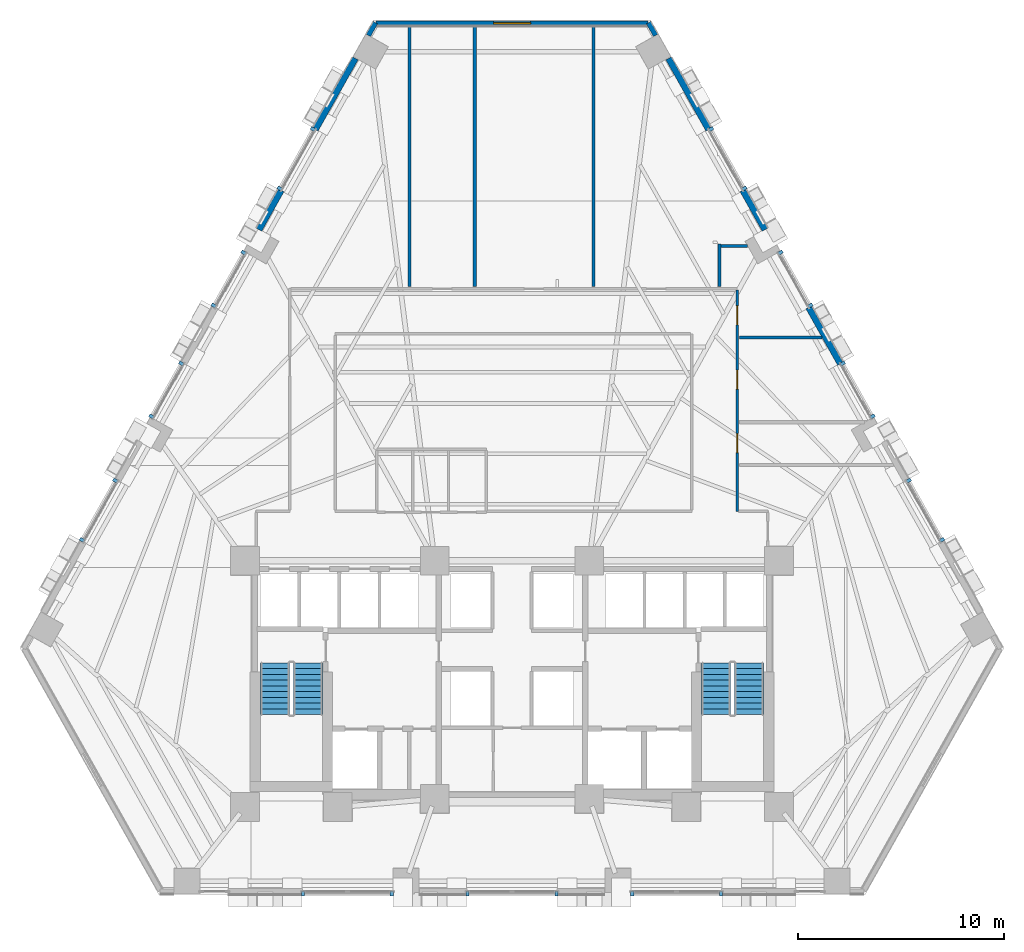
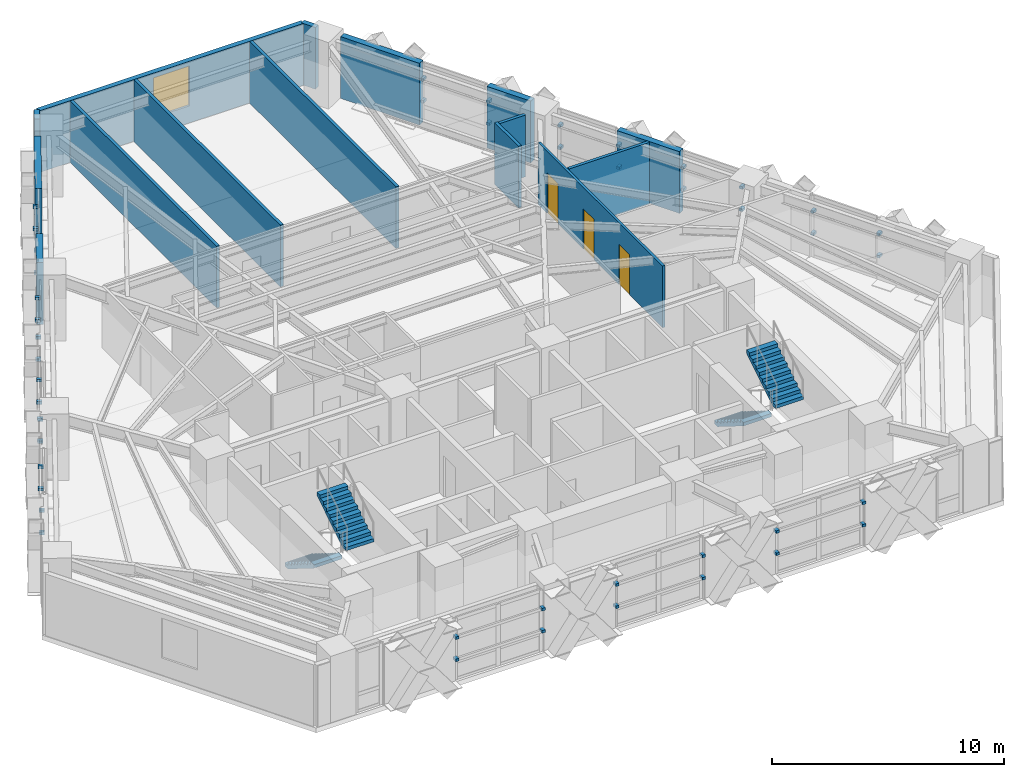
# One storey, part 9 of 13: 44 discrete accessories, 15 walls, 4 stair flights, 3 doors, 1 window, 4 openings, 2 elements without a shape of their own.
"""IFC4 building model written with IfcOpenShell, lengths in metres."""

import ifcopenshell
import ifcopenshell.guid

model = None  # the IFC model being written
_history = None  # IfcOwnerHistory: only IFC2X3 demands one
_inside = {}  # id of a spatial element -> (the spatial element, [elements in it])
_under = {}  # id of a project, library or spatial element -> (it, [spatial elements below it])
_declared = {}  # id of a project -> (the project, [libraries it declares])
_typed = {}  # id of a type object -> (the type object, [elements of that type])
_made_of = {}  # id of a material, layer set ... -> (it, [elements and type objects made of it])


def new_model(schema):
    """Start an empty IFC model of exactly this schema.

    Asked for "IFC4X3", IfcOpenShell would pick the latest addendum, in which some entities
    have other attributes; the version numbers below select the first issue.
    IFC2X3 requires an IfcOwnerHistory on every rooted entity: one is made here for all.
    """
    global model, _history
    if schema == "IFC4X3":
        model = ifcopenshell.file(schema_version=(4, 3, 0, 0))
    else:
        model = ifcopenshell.file(schema=schema)
    _inside.clear()
    _under.clear()
    _declared.clear()
    _typed.clear()
    _made_of.clear()
    _history = None
    if model.schema == "IFC2X3":
        org = make("IfcOrganization", Name="unknown")
        user = make(
            "IfcPersonAndOrganization",
            ThePerson=make("IfcPerson", FamilyName="unknown"),
            TheOrganization=org,
        )
        app = make(
            "IfcApplication",
            ApplicationDeveloper=org,
            Version="unknown",
            ApplicationFullName="unknown",
            ApplicationIdentifier="unknown",
        )
        _history = make(
            "IfcOwnerHistory",
            OwningUser=user,
            OwningApplication=app,
            ChangeAction="ADDED",
            CreationDate=0,
        )
    return model


def make(cls, **values):
    """One entity of the class cls with the attributes given. An attribute that is None is left unset."""
    return model.create_entity(
        cls, **{name: value for name, value in values.items() if value is not None}
    )


def rooted(cls, **values):
    """An entity with a GlobalId (a new one), such as an element, a storey or a relation."""
    return make(cls, GlobalId=ifcopenshell.guid.new(), OwnerHistory=_history, **values)


def si_unit(unit_type, name, prefix=None):
    """IfcSIUnit, for example si_unit("LENGTHUNIT", "METRE", prefix="MILLI")."""
    return make("IfcSIUnit", UnitType=unit_type, Prefix=prefix, Name=name)


def assignment(units):
    """IfcUnitAssignment: the units of a project."""
    return None if units is None else make("IfcUnitAssignment", Units=units)


def point(xyz):
    """IfcCartesianPoint."""
    return None if xyz is None else make("IfcCartesianPoint", Coordinates=xyz)


def direction(xyz):
    """IfcDirection."""
    return None if xyz is None else make("IfcDirection", DirectionRatios=xyz)


def frame(location, z_axis=None, x_axis=None):
    """IfcAxis2Placement3D, a coordinate frame: its origin and axes. An axis left out is left unset."""
    return make(
        "IfcAxis2Placement3D",
        Location=point(location),
        Axis=direction(z_axis),
        RefDirection=direction(x_axis),
    )


def frame_2d(location, x_axis=None):
    """IfcAxis2Placement2D, a coordinate frame in the plane: its origin and x axis."""
    return make(
        "IfcAxis2Placement2D", Location=point(location), RefDirection=direction(x_axis)
    )


def origin():
    """The frame at (0, 0, 0) with its axes left unset."""
    return frame((0.0, 0.0, 0.0))


def origin_2d():
    """The frame at (0, 0) in the plane with its x axis left unset."""
    return frame_2d((0.0, 0.0))


def place(relative_to, where):
    """IfcLocalPlacement: puts the frame where relative to a parent placement (None: the world)."""
    return make(
        "IfcLocalPlacement", PlacementRelTo=relative_to, RelativePlacement=where
    )


def context(
    kind, dimensions, precision=None, world=None, true_north=None, identifier=None
):
    """IfcGeometricRepresentationContext, for example the 3D "Model" context."""
    return make(
        "IfcGeometricRepresentationContext",
        ContextIdentifier=identifier,
        ContextType=kind,
        CoordinateSpaceDimension=dimensions,
        Precision=precision,
        WorldCoordinateSystem=world,
        TrueNorth=true_north,
    )


def subcontext(parent, identifier, kind, view, scale=None):
    """IfcGeometricRepresentationSubContext, for example "Body" below "Model"."""
    return make(
        "IfcGeometricRepresentationSubContext",
        ContextIdentifier=identifier,
        ContextType=kind,
        ParentContext=parent,
        TargetScale=scale,
        TargetView=view,
    )


def project(units=None, contexts=None):
    """IfcProject with its units and contexts."""
    return rooted(
        "IfcProject",
        Name="project",
        RepresentationContexts=contexts,
        UnitsInContext=assignment(units),
    )


def spatial(cls, under=None, at=None, **own):
    """A site, building, storey or space (cls), placed at a placement, below another one or the project."""
    s = rooted(cls, ObjectPlacement=at, **own)
    if under is not None:
        _under.setdefault(under.id(), (under, []))[1].append(s)
    return s


def polyline(points):
    """IfcPolyline through the points."""
    return make("IfcPolyline", Points=[point(p) for p in points])


def profile(cls, at=None, kind="AREA", **sizes):
    """A parametric profile (cls). Its sizes go by their IFC names, for example OverallWidth=200.0."""
    return make(cls, ProfileType=kind, Position=at, **sizes)


def rectangle(**sizes):
    """IfcRectangleProfileDef."""
    return profile("IfcRectangleProfileDef", **sizes)


def outline(outer, holes=None, kind="AREA"):
    """IfcArbitraryClosedProfileDef: a profile drawn as a closed curve; with holes, ...WithVoids."""
    if holes is None:
        return make("IfcArbitraryClosedProfileDef", ProfileType=kind, OuterCurve=outer)
    return make(
        "IfcArbitraryProfileDefWithVoids",
        ProfileType=kind,
        OuterCurve=outer,
        InnerCurves=holes,
    )


def extrude(swept, where, along, depth):
    """IfcExtrudedAreaSolid: the profile swept, set in the frame where, extruded along a direction by depth."""
    return make(
        "IfcExtrudedAreaSolid",
        SweptArea=swept,
        Position=where,
        ExtrudedDirection=direction(along),
        Depth=depth,
    )


def shape(context_of_items, identifier, shape_type, items):
    """IfcShapeRepresentation: the items that make up one representation, for example the "Body"."""
    return make(
        "IfcShapeRepresentation",
        ContextOfItems=context_of_items,
        RepresentationIdentifier=identifier,
        RepresentationType=shape_type,
        Items=items,
    )


def material(Name=None, Category=None):
    """IfcMaterial."""
    return make("IfcMaterial", Name=Name, Category=Category)


def layer(
    of_material, thickness, ventilated=None, Name=None, Category=None, Priority=None
):
    """IfcMaterialLayer: one layer of a wall or slab, of a material (None: an air gap)."""
    return make(
        "IfcMaterialLayer",
        Material=of_material,
        LayerThickness=thickness,
        IsVentilated=ventilated,
        Name=Name,
        Category=Category,
        Priority=Priority,
    )


def layer_set(layers, Name=None):
    """IfcMaterialLayerSet."""
    return make("IfcMaterialLayerSet", MaterialLayers=layers, LayerSetName=Name)


def made_of(thing, what):
    """Note that an element or type object is made of a material, layer set ...; save() writes the relation."""
    if what is not None:
        _made_of.setdefault(what.id(), (what, []))[1].append(thing)
    return thing


def type_object(cls, material=None, **own):
    """A type object (cls), such as IfcWallType, which elements share."""
    return made_of(rooted(cls, **own), material)


def element(
    cls,
    number,
    at=None,
    inside=None,
    cuts=None,
    type_object=None,
    material=None,
    context=None,
    identifier="Body",
    shape_type=None,
    held_by="IfcProductDefinitionShape",
    body=None,
    shapes=None,
    **own,
):
    """One element of the class cls, such as IfcWall. Its Tag is "e" and its number.

    at: its placement. inside: the storey or other place that contains it. cuts: it is an
    opening in that element (IfcRelVoidsElement). A single representation is given by context,
    identifier, shape_type and body (its items); several are given by shapes. held_by: the class
    of the entity that holds the representations. save() writes the other relations.
    """
    e = rooted(cls, Tag="e%d" % number, ObjectPlacement=at, **own)
    if body is not None:
        shapes = [shape(context, identifier, shape_type, body)]
    if shapes is not None:
        e.Representation = make(held_by, Representations=shapes)
    if inside is not None:
        _inside.setdefault(inside.id(), (inside, []))[1].append(e)
    if cuts is not None:
        rooted(
            "IfcRelVoidsElement", RelatingBuildingElement=cuts, RelatedOpeningElement=e
        )
    if type_object is not None:
        _typed.setdefault(type_object.id(), (type_object, []))[1].append(e)
    return made_of(e, material)


def fill(opening, filler):
    """IfcRelFillsElement: the door or window that sits in an opening."""
    return rooted(
        "IfcRelFillsElement",
        RelatingOpeningElement=opening,
        RelatedBuildingElement=filler,
    )


def aggregate(whole, parts):
    """IfcRelAggregates: a whole, such as a stair, and the parts it consists of."""
    return rooted("IfcRelAggregates", RelatingObject=whole, RelatedObjects=parts)


def save(model, path):
    """Write the relations noted so far, then the file.

    IfcRelAggregates (storeys below a building ...), IfcRelContainedInSpatialStructure (elements
    in a storey), IfcRelDefinesByType, IfcRelAssociatesMaterial and IfcRelDeclares: one each for
    every whole, place, type object, material and project.
    """
    for whole, parts in _under.values():
        aggregate(whole, parts)
    for where, things in _inside.values():
        rooted(
            "IfcRelContainedInSpatialStructure",
            RelatedElements=things,
            RelatingStructure=where,
        )
    for kind, things in _typed.values():
        rooted("IfcRelDefinesByType", RelatedObjects=things, RelatingType=kind)
    for what, things in _made_of.values():
        rooted("IfcRelAssociatesMaterial", RelatedObjects=things, RelatingMaterial=what)
    for by, libraries in _declared.values():
        rooted("IfcRelDeclares", RelatingContext=by, RelatedDefinitions=libraries)
    model.write(path)


model = new_model("IFC4")

# Units and contexts
model_context = context("Model", 3, precision=1e-05, world=origin(), true_north=direction((0.0, 1.0)))
body_context = subcontext(model_context, "Body", "Model", "MODEL_VIEW")
ifc_project = project(units=[si_unit("LENGTHUNIT", "METRE"), si_unit("AREAUNIT", "SQUARE_METRE"), si_unit("VOLUMEUNIT", "CUBIC_METRE"), si_unit("PLANEANGLEUNIT", "RADIAN"), si_unit("MASSUNIT", "GRAM", prefix="KILO")], contexts=[model_context])

# Site, building, storey
site_placement = place(None, origin())
site = spatial("IfcSite", under=ifc_project, at=site_placement, CompositionType="ELEMENT")
building_placement = place(site_placement, origin())
building = spatial("IfcBuilding", under=site, at=building_placement, Name="Quenlor Broadcast Tower", CompositionType="ELEMENT")
storey_placement = place(building_placement, frame((0.0, 0.0, 31.10009765625)))
storey = spatial("IfcBuildingStorey", under=building, at=storey_placement, Name="L07", CompositionType="ELEMENT", Elevation=31.10009765625)

# Walls
ifc_material_1 = material(Name="Acoustic Double Stud Gypsum Partition", Category="other")
ifc_layer_1 = layer(ifc_material_1, 0.14990234375)
ifc_layer_set_1 = layer_set([ifc_layer_1], Name="Broadcast Studio Acoustic Partition 150")
wall_type_1 = type_object("IfcWallType", Name="Broadcast Studio Acoustic Partition 150", PredefinedType="PARTITIONING", material=ifc_layer_set_1)
for number, where, z_axis, x_axis, name in (
    (1, (-1.805908203125, 21.14990234375, 0.0), (0.0, 0.0, 1.0), (0.0, -1.0, 0.0), "L07 Interior Wall PW-DV-01"),
    (2, (-4.97998046875, 8.510009765625, 0.0), (0.0, 0.0, 1.0), (0.0, 1.0, 0.0), "L07 Interior Wall PW-DV-02"),
    (3, (3.9599609375, 21.14990234375, 0.0), (0.0, 0.0, 1.0), (0.0, -1.0, 0.0), "L07 Interior Wall PW-DV-03"),
):
    element("IfcWall", number, at=place(storey_placement, frame(where, z_axis=z_axis, x_axis=x_axis)), inside=storey, type_object=wall_type_1, Name=name, PredefinedType="PARTITIONING", context=body_context, shape_type="SweptSolid", body=[
        extrude(rectangle(XDim=12.639892578125, YDim=0.14990234375, at=frame_2d((6.31982421875, 0.0))), origin(), (0.0, 0.0, 1.0), 3.25),
    ])
wall_1_placement = place(storey_placement, frame((10.06005859375, 10.573486328125, 0.0), z_axis=(0.0, 0.0, 1.0), x_axis=(0.0, -1.0, 0.0)))
element("IfcWall", 4, at=wall_1_placement, inside=storey, type_object=wall_type_1, Name="L07 Interior Wall PW-DV-04", PredefinedType="PARTITIONING", context=body_context, shape_type="SweptSolid", body=[
    extrude(rectangle(XDim=2.0634765625, YDim=0.14990234375, at=frame_2d((1.03173828125, 0.0))), origin(), (0.0, 0.0, 1.0), 3.25),
])
wall_2_placement = place(storey_placement, frame((11.43212890625, 10.471435546875, 0.0), z_axis=(0.0, 0.0, 1.0), x_axis=(-0.999998862953, 0.001508009595, 0.0)))
element("IfcWall", 5, at=wall_2_placement, inside=storey, type_object=wall_type_1, Name="L07 Interior Wall PW-DV-05", PredefinedType="PARTITIONING", context=body_context, shape_type="SweptSolid", body=[
    extrude(rectangle(XDim=1.295166015625, YDim=0.14990234375, at=frame_2d((0.6474609375, 0.0))), origin(), (0.0, 0.0, 1.0), 3.25),
])
wall_3_placement = place(storey_placement, frame((15.043212890625, 6.02001953125, 0.0), z_axis=(0.0, 0.0, 1.0), x_axis=(-1.0, 0.0, 0.0)))
element("IfcWall", 6, at=wall_3_placement, inside=storey, type_object=wall_type_1, Name="L07 Interior Wall PW-DV-06", PredefinedType="PARTITIONING", context=body_context, shape_type="SweptSolid", body=[
    extrude(rectangle(XDim=4.00830078125, YDim=0.14990234375, at=frame_2d((2.004150390625, 0.0))), origin(), (0.0, 0.0, 1.0), 3.25),
])

# Wall, openings, doors
ifc_material_2 = material(Name="Gypsum Plasterboard Partition", Category="other")
ifc_layer_2 = layer(ifc_material_2, 0.1201171875)
ifc_layer_set_2 = layer_set([ifc_layer_2], Name="Standard Office Partition 120")
wall_type_2 = type_object("IfcWallType", Name="Standard Office Partition 120", PredefinedType="PARTITIONING", material=ifc_layer_set_2)
wall_4_placement = place(storey_placement, frame((10.925048828125, 8.337890625, 0.0), z_axis=(0.0, 0.0, 1.0), x_axis=(0.0, -1.0, 0.0)))
wall_4 = element("IfcWall", 7, at=wall_4_placement, inside=storey, type_object=wall_type_2, Name="L07 Interior Wall PW-CR-04", PredefinedType="PARTITIONING", context=body_context, shape_type="SweptSolid", body=[
    extrude(rectangle(XDim=10.73779296875, YDim=0.1201171875, at=frame_2d((5.368896484375, 0.0))), origin(), (0.0, 0.0, 1.0), 3.25),
])
opening_1_placement = place(wall_4_placement, frame((0.777099609375, 0.0, 0.0)))
opening_1 = element("IfcOpeningElement", 8, at=opening_1_placement, cuts=wall_4, Name="Opening ID-1", PredefinedType="OPENING", context=body_context, shape_type="SweptSolid", body=[
    extrude(rectangle(XDim=0.919921875, YDim=2.1201171875, at=frame_2d((0.4599609375, 1.06005859375))), frame((0.0, 0.070068359375, 0.0), z_axis=(0.0, -1.0, 0.0), x_axis=(1.0, 0.0, 0.0)), (0.0, 0.0, 1.0), 0.14013671875),
])
opening_2_placement = place(wall_4_placement, frame((3.887939453125, 0.0, 0.0)))
opening_2 = element("IfcOpeningElement", 9, at=opening_2_placement, cuts=wall_4, Name="Opening ID-1", PredefinedType="OPENING", context=body_context, shape_type="SweptSolid", body=[
    extrude(rectangle(XDim=0.919921875, YDim=2.1201171875, at=frame_2d((0.4599609375, 1.06005859375))), frame((0.0, 0.070068359375, 0.0), z_axis=(0.0, -1.0, 0.0), x_axis=(1.0, 0.0, 0.0)), (0.0, 0.0, 1.0), 0.14013671875),
])
opening_3_placement = place(wall_4_placement, frame((6.972900390625, 0.0, 0.0)))
opening_3 = element("IfcOpeningElement", 10, at=opening_3_placement, cuts=wall_4, Name="Opening ID-1", PredefinedType="OPENING", context=body_context, shape_type="SweptSolid", body=[
    extrude(rectangle(XDim=0.919921875, YDim=2.1201171875, at=frame_2d((0.4599609375, 1.06005859375))), frame((0.0, 0.070068359375, 0.0), z_axis=(0.0, -1.0, 0.0), x_axis=(1.0, 0.0, 0.0)), (0.0, 0.0, 1.0), 0.14013671875),
])
ifc_material_3 = material(Name="Solid Core Timber Oak", Category="wood")
door_type = type_object("IfcDoorType", Name="Single Leaf Timber Office Door 920x2120", OperationType="NOTDEFINED", PredefinedType="DOOR", material=ifc_material_3)
door_1_placement = place(opening_1_placement, origin())
door_1 = element("IfcDoor", 11, at=door_1_placement, inside=storey, type_object=door_type, Name="L07 Door DR-RM05", OperationType="SINGLE_SWING_LEFT", OverallHeight=2.1201171875, OverallWidth=0.919921875, PredefinedType="DOOR", context=body_context, shape_type="SweptSolid", body=[
    extrude(rectangle(XDim=0.919921875, YDim=2.1201171875, at=frame_2d((0.4599609375, 1.06005859375))), frame((0.0, 0.02490234375, 0.0), z_axis=(0.0, -1.0, 0.0), x_axis=(1.0, 0.0, 0.0)), (0.0, 0.0, 1.0), 0.050048828125),
])
fill(opening_1, door_1)
door_2_placement = place(opening_2_placement, origin())
door_2 = element("IfcDoor", 12, at=door_2_placement, inside=storey, type_object=door_type, Name="L07 Door DR-RM06", OperationType="SINGLE_SWING_RIGHT", OverallHeight=2.1201171875, OverallWidth=0.919921875, PredefinedType="DOOR", context=body_context, shape_type="SweptSolid", body=[
    extrude(rectangle(XDim=0.919921875, YDim=2.1201171875, at=frame_2d((0.4599609375, 1.06005859375))), frame((0.0, 0.02490234375, 0.0), z_axis=(0.0, -1.0, 0.0), x_axis=(1.0, 0.0, 0.0)), (0.0, 0.0, 1.0), 0.050048828125),
])
fill(opening_2, door_2)
door_3_placement = place(opening_3_placement, origin())
door_3 = element("IfcDoor", 13, at=door_3_placement, inside=storey, type_object=door_type, Name="L07 Door DR-RM07", OperationType="SINGLE_SWING_LEFT", OverallHeight=2.1201171875, OverallWidth=0.919921875, PredefinedType="DOOR", context=body_context, shape_type="SweptSolid", body=[
    extrude(rectangle(XDim=0.919921875, YDim=2.1201171875, at=frame_2d((0.4599609375, 1.06005859375))), frame((0.0, 0.02490234375, 0.0), z_axis=(0.0, -1.0, 0.0), x_axis=(1.0, 0.0, 0.0)), (0.0, 0.0, 1.0), 0.050048828125),
])
fill(opening_3, door_3)

# Walls
ifc_material_4 = material(Name="Precast concrete C40/50", Category="concrete")
ifc_layer_3 = layer(ifc_material_4, 0.239990234375)
ifc_layer_set_3 = layer_set([ifc_layer_3], Name="Terrace Threshold Precast Concrete C40/50 Wall 240")
wall_type_3 = type_object("IfcWallType", Name="Terrace Threshold Precast Concrete C40/50 Wall 240", PredefinedType="STANDARD", material=ifc_layer_set_3)
for number, where, z_axis, x_axis, name in (
    (14, (6.621826171875, 21.30126953125, 0.0), (0.0, 0.0, 1.0), (0.490261239633, -0.871575537125, 0.0), "L07 Exterior Wall L07-SHD-NES0"),
    (15, (-6.968994140625, 20.68408203125, 0.0), (0.0, 0.0, 1.0), (0.490261239633, 0.871575537125, 0.0), "L07 Exterior Wall L07-SHD-NWS1"),
):
    element("IfcWall", number, at=place(storey_placement, frame(where, z_axis=z_axis, x_axis=x_axis)), inside=storey, type_object=wall_type_3, Name=name, PredefinedType="STANDARD", context=body_context, shape_type="SweptSolid", body=[
        extrude(rectangle(XDim=0.7080078125, YDim=0.239990234375, at=frame_2d((0.35400390625, 0.0))), origin(), (0.0, 0.0, 1.0), 3.25),
    ])

# Wall, opening, window
wall_5_placement = place(storey_placement, frame((6.598388671875, 21.27197265625, 0.0), z_axis=(0.0, 0.0, 1.0), x_axis=(-1.0, 0.0, 0.0)))
wall_5 = element("IfcWall", 16, at=wall_5_placement, inside=storey, type_object=wall_type_3, Name="L07 Exterior Wall L07-CNR-02", PredefinedType="STANDARD", context=body_context, shape_type="SweptSolid", body=[
    extrude(rectangle(XDim=13.186767578125, YDim=0.239990234375, at=frame_2d((6.59326171875, 0.0))), origin(), (0.0, 0.0, 1.0), 3.25),
])
opening_4_placement = place(wall_5_placement, frame((5.693115234375, 0.0, 0.89990234375)))
opening_4 = element("IfcOpeningElement", 17, at=opening_4_placement, cuts=wall_5, Name="Opening WN-1", PredefinedType="OPENING", context=body_context, shape_type="SweptSolid", body=[
    extrude(rectangle(XDim=1.800048828125, YDim=2.10009765625, at=frame_2d((0.89990234375, 1.050048828125))), frame((0.0, 0.1298828125, 0.0), z_axis=(0.0, -1.0, 0.0), x_axis=(1.0, 0.0, 0.0)), (0.0, 0.0, 1.0), 0.260009765625),
])
ifc_material_5 = material(Name="Thermally Broken Aluminium and Low-E Glass", Category="aluminium")
window_type = type_object("IfcWindowType", Name="Tower Acoustic Vision Window 1800x2100", PartitioningType="SINGLE_PANEL", PredefinedType="WINDOW", material=ifc_material_5)
window_placement = place(opening_4_placement, origin())
window = element("IfcWindow", 18, at=window_placement, inside=storey, type_object=window_type, Name="L07 Corner Chamfer Window 2", OverallHeight=2.10009765625, OverallWidth=1.800048828125, PartitioningType="SINGLE_PANEL", PredefinedType="WINDOW", context=body_context, shape_type="SweptSolid", body=[
    extrude(rectangle(XDim=1.800048828125, YDim=2.10009765625, at=frame_2d((0.89990234375, 1.050048828125))), frame((0.0, 0.030029296875, 0.0), z_axis=(0.0, -1.0, 0.0), x_axis=(1.0, 0.0, 0.0)), (0.0, 0.0, 1.0), 0.06005859375),
])
fill(opening_4, window)

# Walls
ifc_material_6 = material(Name="Precast concrete C40/50", Category="concrete")
ifc_layer_4 = layer(ifc_material_6, 0.300048828125)
ifc_layer_set_4 = layer_set([ifc_layer_4], Name="Terracotta Precast Concrete C40/50 Spandrel Wall 300")
wall_type_4 = type_object("IfcWallType", Name="Terracotta Precast Concrete C40/50 Spandrel Wall 300", PredefinedType="STANDARD", material=ifc_layer_set_4)
wall_6_placement = place(storey_placement, frame((7.5966796875, 19.568603515625, 0.0), z_axis=(0.0, 0.0, 1.0), x_axis=(0.490240735008, -0.871587070659, 0.0)))
element("IfcWall", 19, at=wall_6_placement, inside=storey, type_object=wall_type_4, Name="L07 Exterior Wall L07-NEA-SP1", PredefinedType="STANDARD", context=body_context, shape_type="SweptSolid", body=[
    extrude(rectangle(XDim=3.95703125, YDim=0.300048828125, at=frame_2d((1.978515625, 0.0))), origin(), (0.0, 0.0, 1.0), 3.25),
])
wall_7_placement = place(storey_placement, frame((11.194091796875, 13.1728515625, 0.0), z_axis=(0.0, 0.0, 1.0), x_axis=(0.490324540864, -0.871539927156, 0.0)))
element("IfcWall", 20, at=wall_7_placement, inside=storey, type_object=wall_type_4, Name="L07 Exterior Wall L07-NEA-SP2", PredefinedType="STANDARD", context=body_context, shape_type="SweptSolid", body=[
    extrude(rectangle(XDim=2.197265625, YDim=0.300048828125, at=frame_2d((1.0986328125, 0.0))), origin(), (0.0, 0.0, 1.0), 3.25),
])
wall_8_placement = place(storey_placement, frame((14.390869140625, 7.48974609375, 0.0), z_axis=(0.0, 0.0, 1.0), x_axis=(0.490290775148, -0.871558922738, 0.0)))
element("IfcWall", 21, at=wall_8_placement, inside=storey, type_object=wall_type_4, Name="L07 Exterior Wall L07-NE-SP1", PredefinedType="STANDARD", context=body_context, shape_type="SweptSolid", body=[
    extrude(rectangle(XDim=3.1396484375, YDim=0.300048828125, at=frame_2d((1.56982421875, 0.0))), origin(), (0.0, 0.0, 1.0), 3.25),
])
wall_9_placement = place(storey_placement, frame((-12.271484375, 11.2578125, 0.0), z_axis=(0.0, 0.0, 1.0), x_axis=(0.490324540864, 0.871539927156, 0.0)))
element("IfcWall", 22, at=wall_9_placement, inside=storey, type_object=wall_type_4, Name="L07 Exterior Wall L07-NWC-SP1", PredefinedType="STANDARD", context=body_context, shape_type="SweptSolid", body=[
    extrude(rectangle(XDim=2.197265625, YDim=0.300048828125, at=frame_2d((1.0986328125, 0.0))), origin(), (0.0, 0.0, 1.0), 3.25),
])
wall_10_placement = place(storey_placement, frame((-9.53662109375, 16.11962890625, 0.0), z_axis=(0.0, 0.0, 1.0), x_axis=(0.490240735008, 0.871587070659, 0.0)))
element("IfcWall", 23, at=wall_10_placement, inside=storey, type_object=wall_type_4, Name="L07 Exterior Wall L07-NWC-SP2", PredefinedType="STANDARD", context=body_context, shape_type="SweptSolid", body=[
    extrude(rectangle(XDim=3.95703125, YDim=0.300048828125, at=frame_2d((1.978515625, 0.0))), origin(), (0.0, 0.0, 1.0), 3.25),
])

# Stair, stair flights
ifc_material_7 = material(Name="Precast concrete C40/50", Category="concrete")
stair_type = type_object("IfcStairType", Name="Precast Concrete C40/50 Dogleg Stair H350", PredefinedType="HALF_TURN_STAIR", material=ifc_material_7)
stair_1_placement = place(storey_placement, origin())
stair_1 = element("IfcStair", 24, at=stair_1_placement, inside=storey, type_object=stair_type, Name="L07 West Core Fire-Isolated Exit Stair ST-1", PredefinedType="HALF_TURN_STAIR")
ifc_material_8 = material(Name="Precast concrete C40/50", Category="concrete")
ifc_layer_5 = layer(ifc_material_8, 0.159912109375)
ifc_layer_set_5 = layer_set([ifc_layer_5], Name="Precast Concrete C40/50 Stair Flight H350")
stair_flight_type = type_object("IfcStairFlightType", Name="Precast Concrete C40/50 Stair Flight H350", PredefinedType="STRAIGHT", material=ifc_layer_set_5)
stair_flight_1_placement = place(storey_placement, frame((-11.5, -9.75, 0.0), z_axis=(0.0, 0.0, 1.0), x_axis=(0.0, -1.0, 0.0)))
stair_flight_1 = element("IfcStairFlight", 25, at=stair_flight_1_placement, type_object=stair_flight_type, Name="ST-1 flight 1", NumberOfRisers=10, NumberOfTreads=9, PredefinedType="STRAIGHT", RiserHeight=0.175, TreadLength=0.28, context=body_context, shape_type="SweptSolid", body=[
    extrude(outline(polyline([(0.0, 0.0), (0.0, 0.175048828125), (0.280029296875, 0.175048828125), (0.280029296875, 0.35009765625), (0.56005859375, 0.35009765625), (0.56005859375, 0.52490234375), (0.840087890625, 0.52490234375), (0.840087890625, 0.699951171875), (1.1201171875, 0.699951171875), (1.1201171875, 0.875), (1.39990234375, 0.875), (1.39990234375, 1.050048828125), (1.679931640625, 1.050048828125), (1.679931640625, 1.22509765625), (1.9599609375, 1.22509765625), (1.9599609375, 1.39990234375), (2.239990234375, 1.39990234375), (2.239990234375, 1.574951171875), (2.52001953125, 1.574951171875), (2.52001953125, 1.75), (2.52001953125, 1.398193359375), (0.28271484375, 0.0), (0.0, 0.0)])), frame((0.0, 0.699951171875, 0.0), z_axis=(0.0, -1.0, 0.0), x_axis=(1.0, 0.0, 0.0)), (0.0, 0.0, 1.0), 1.39990234375),
])
stair_flight_2_placement = place(storey_placement, frame((-9.89990234375, -12.27001953125, 1.75), z_axis=(0.0, 0.0, 1.0), x_axis=(0.0, 1.0, 0.0)))
stair_flight_2 = element("IfcStairFlight", 26, at=stair_flight_2_placement, type_object=stair_flight_type, Name="ST-1 flight 2", NumberOfRisers=10, NumberOfTreads=9, PredefinedType="STRAIGHT", RiserHeight=0.175, TreadLength=0.28, context=body_context, shape_type="SweptSolid", body=[
    extrude(outline(polyline([(0.0, 0.0), (0.0, 0.175048828125), (0.280029296875, 0.175048828125), (0.280029296875, 0.35009765625), (0.56005859375, 0.35009765625), (0.56005859375, 0.52490234375), (0.840087890625, 0.52490234375), (0.840087890625, 0.699951171875), (1.1201171875, 0.699951171875), (1.1201171875, 0.875), (1.39990234375, 0.875), (1.39990234375, 1.050048828125), (1.679931640625, 1.050048828125), (1.679931640625, 1.22509765625), (1.9599609375, 1.22509765625), (1.9599609375, 1.39990234375), (2.239990234375, 1.39990234375), (2.239990234375, 1.574951171875), (2.52001953125, 1.574951171875), (2.52001953125, 1.75), (2.52001953125, 1.398193359375), (0.28271484375, 0.0), (0.0, 0.0)])), frame((0.0, 0.699951171875, 0.0), z_axis=(0.0, -1.0, 0.0), x_axis=(1.0, 0.0, 0.0)), (0.0, 0.0, 1.0), 1.39990234375),
])
aggregate(stair_1, [stair_flight_1, stair_flight_2])

stair_2_placement = place(storey_placement, origin())
stair_2 = element("IfcStair", 27, at=stair_2_placement, inside=storey, type_object=stair_type, Name="L07 East Core Fire-Isolated Exit Stair ST-2", PredefinedType="HALF_TURN_STAIR")
stair_flight_3_placement = place(storey_placement, frame((9.89990234375, -9.75, 0.0), z_axis=(0.0, 0.0, 1.0), x_axis=(0.0, -1.0, 0.0)))
stair_flight_3 = element("IfcStairFlight", 28, at=stair_flight_3_placement, type_object=stair_flight_type, Name="ST-2 flight 1", NumberOfRisers=10, NumberOfTreads=9, PredefinedType="STRAIGHT", RiserHeight=0.175, TreadLength=0.28, context=body_context, shape_type="SweptSolid", body=[
    extrude(outline(polyline([(0.0, 0.0), (0.0, 0.175048828125), (0.280029296875, 0.175048828125), (0.280029296875, 0.35009765625), (0.56005859375, 0.35009765625), (0.56005859375, 0.52490234375), (0.840087890625, 0.52490234375), (0.840087890625, 0.699951171875), (1.1201171875, 0.699951171875), (1.1201171875, 0.875), (1.39990234375, 0.875), (1.39990234375, 1.050048828125), (1.679931640625, 1.050048828125), (1.679931640625, 1.22509765625), (1.9599609375, 1.22509765625), (1.9599609375, 1.39990234375), (2.239990234375, 1.39990234375), (2.239990234375, 1.574951171875), (2.52001953125, 1.574951171875), (2.52001953125, 1.75), (2.52001953125, 1.398193359375), (0.28271484375, 0.0), (0.0, 0.0)])), frame((0.0, 0.699951171875, 0.0), z_axis=(0.0, -1.0, 0.0), x_axis=(1.0, 0.0, 0.0)), (0.0, 0.0, 1.0), 1.39990234375),
])
stair_flight_4_placement = place(storey_placement, frame((11.5, -12.27001953125, 1.75), z_axis=(0.0, 0.0, 1.0), x_axis=(0.0, 1.0, 0.0)))
stair_flight_4 = element("IfcStairFlight", 29, at=stair_flight_4_placement, type_object=stair_flight_type, Name="ST-2 flight 2", NumberOfRisers=10, NumberOfTreads=9, PredefinedType="STRAIGHT", RiserHeight=0.175, TreadLength=0.28, context=body_context, shape_type="SweptSolid", body=[
    extrude(outline(polyline([(0.0, 0.0), (0.0, 0.175048828125), (0.280029296875, 0.175048828125), (0.280029296875, 0.35009765625), (0.56005859375, 0.35009765625), (0.56005859375, 0.52490234375), (0.840087890625, 0.52490234375), (0.840087890625, 0.699951171875), (1.1201171875, 0.699951171875), (1.1201171875, 0.875), (1.39990234375, 0.875), (1.39990234375, 1.050048828125), (1.679931640625, 1.050048828125), (1.679931640625, 1.22509765625), (1.9599609375, 1.22509765625), (1.9599609375, 1.39990234375), (2.239990234375, 1.39990234375), (2.239990234375, 1.574951171875), (2.52001953125, 1.574951171875), (2.52001953125, 1.75), (2.52001953125, 1.398193359375), (0.28271484375, 0.0), (0.0, 0.0)])), frame((0.0, 0.699951171875, 0.0), z_axis=(0.0, -1.0, 0.0), x_axis=(1.0, 0.0, 0.0)), (0.0, 0.0, 1.0), 1.39990234375),
])
aggregate(stair_2, [stair_flight_3, stair_flight_4])

# Discrete accessories
ifc_material_9 = material(Name="Aluminium 6063-T6", Category="aluminium")
discrete_accessory_type = type_object("IfcDiscreteAccessoryType", Name="Stainless Mullion Baguette Support Bracket", PredefinedType="BRACKET", material=ifc_material_9)
for number, where, z_axis, x_axis, name in (
    (30, (10.134765625, -20.949951171875, 1.10009765625), (0.0, 0.0, 1.0), (-1.0, 0.0, 0.0), "L07 Baguette Mullion Bracket 1.1"),
    (31, (5.830810546875, -20.949951171875, 1.10009765625), (0.0, 0.0, 1.0), (-1.0, 0.0, 0.0), "L07 Baguette Mullion Bracket 1.2"),
    (32, (10.134765625, -20.949951171875, 2.27001953125), (0.0, 0.0, 1.0), (-1.0, 0.0, 0.0), "L07 Baguette Mullion Bracket 2.1"),
    (33, (5.830810546875, -20.949951171875, 2.27001953125), (0.0, 0.0, 1.0), (-1.0, 0.0, 0.0), "L07 Baguette Mullion Bracket 2.2"),
    (34, (-5.830810546875, -20.949951171875, 1.10009765625), (0.0, 0.0, 1.0), (-1.0, 0.0, 0.0), "L07 Baguette Mullion Bracket 1.1"),
    (35, (-10.134765625, -20.949951171875, 1.10009765625), (0.0, 0.0, 1.0), (-1.0, 0.0, 0.0), "L07 Baguette Mullion Bracket 1.2"),
    (36, (-5.830810546875, -20.949951171875, 2.27001953125), (0.0, 0.0, 1.0), (-1.0, 0.0, 0.0), "L07 Baguette Mullion Bracket 2.1"),
    (37, (-10.134765625, -20.949951171875, 2.27001953125), (0.0, 0.0, 1.0), (-1.0, 0.0, 0.0), "L07 Baguette Mullion Bracket 2.2"),
    (38, (2.154296875, -20.949951171875, 1.10009765625), (0.0, 0.0, 1.0), (-1.0, 0.0, 0.0), "L07 Baguette Mullion Bracket 1.1"),
    (39, (-2.154296875, -20.949951171875, 1.10009765625), (0.0, 0.0, 1.0), (-1.0, 0.0, 0.0), "L07 Baguette Mullion Bracket 1.2"),
    (40, (2.154296875, -20.949951171875, 2.27001953125), (0.0, 0.0, 1.0), (-1.0, 0.0, 0.0), "L07 Baguette Mullion Bracket 2.1"),
    (41, (-2.154296875, -20.949951171875, 2.27001953125), (0.0, 0.0, 1.0), (-1.0, 0.0, 0.0), "L07 Baguette Mullion Bracket 2.2"),
    (42, (9.652099609375, 16.138916015625, 1.10009765625), (0.0, 0.0, 1.0), (0.490243691999, -0.871585407436, 0.0), "L07 Baguette Mullion Bracket 1.1"),
    (43, (11.2705078125, 13.26171875, 1.10009765625), (0.0, 0.0, 1.0), (0.490243691999, -0.871585407436, 0.0), "L07 Baguette Mullion Bracket 1.2"),
    (44, (9.652099609375, 16.138916015625, 2.27001953125), (0.0, 0.0, 1.0), (0.490243691999, -0.871585407436, 0.0), "L07 Baguette Mullion Bracket 2.1"),
    (45, (11.2705078125, 13.26171875, 2.27001953125), (0.0, 0.0, 1.0), (0.490243691999, -0.871585407436, 0.0), "L07 Baguette Mullion Bracket 2.2"),
    (46, (19.242431640625, -0.91064453125, 1.10009765625), (0.0, 0.0, 1.0), (0.49025738277, -0.871577706599, 0.0), "L07 Baguette Mullion Bracket 1.1"),
    (47, (20.860595703125, -3.78759765625, 1.10009765625), (0.0, 0.0, 1.0), (0.49025738277, -0.871577706599, 0.0), "L07 Baguette Mullion Bracket 1.2"),
    (48, (19.242431640625, -0.91064453125, 2.27001953125), (0.0, 0.0, 1.0), (0.49025738277, -0.871577706599, 0.0), "L07 Baguette Mullion Bracket 2.1"),
    (49, (20.860595703125, -3.78759765625, 2.27001953125), (0.0, 0.0, 1.0), (0.49025738277, -0.871577706599, 0.0), "L07 Baguette Mullion Bracket 2.2"),
    (50, (13.021728515625, 10.148193359375, 1.10009765625), (0.0, 0.0, 1.0), (0.49027411577, -0.871568294172, 0.0), "L07 Baguette Mullion Bracket 1.1"),
    (51, (14.46728515625, 7.57861328125, 1.10009765625), (0.0, 0.0, 1.0), (0.49027411577, -0.871568294172, 0.0), "L07 Baguette Mullion Bracket 1.2"),
    (52, (13.021728515625, 10.148193359375, 2.27001953125), (0.0, 0.0, 1.0), (0.49027411577, -0.871568294172, 0.0), "L07 Baguette Mullion Bracket 2.1"),
    (53, (14.46728515625, 7.57861328125, 2.27001953125), (0.0, 0.0, 1.0), (0.49027411577, -0.871568294172, 0.0), "L07 Baguette Mullion Bracket 2.2"),
    (54, (16.045654296875, 4.7724609375, 1.10009765625), (0.0, 0.0, 1.0), (0.49027411577, -0.871568294172, 0.0), "L07 Baguette Mullion Bracket 1.1"),
    (55, (17.490966796875, 2.202880859375, 1.10009765625), (0.0, 0.0, 1.0), (0.49027411577, -0.871568294172, 0.0), "L07 Baguette Mullion Bracket 1.2"),
    (56, (16.045654296875, 4.7724609375, 2.27001953125), (0.0, 0.0, 1.0), (0.49027411577, -0.871568294172, 0.0), "L07 Baguette Mullion Bracket 2.1"),
    (57, (17.490966796875, 2.202880859375, 2.27001953125), (0.0, 0.0, 1.0), (0.49027411577, -0.871568294172, 0.0), "L07 Baguette Mullion Bracket 2.2"),
    (58, (-20.860595703125, -3.78759765625, 1.10009765625), (0.0, 0.0, 1.0), (0.49025738277, 0.871577706599, 0.0), "L07 Baguette Mullion Bracket 1.1"),
    (59, (-19.242431640625, -0.91064453125, 1.10009765625), (0.0, 0.0, 1.0), (0.49025738277, 0.871577706599, 0.0), "L07 Baguette Mullion Bracket 1.2"),
    (60, (-20.860595703125, -3.78759765625, 2.27001953125), (0.0, 0.0, 1.0), (0.49025738277, 0.871577706599, 0.0), "L07 Baguette Mullion Bracket 2.1"),
    (61, (-19.242431640625, -0.91064453125, 2.27001953125), (0.0, 0.0, 1.0), (0.49025738277, 0.871577706599, 0.0), "L07 Baguette Mullion Bracket 2.2"),
    (62, (-11.2705078125, 13.26171875, 1.10009765625), (0.0, 0.0, 1.0), (0.490243691999, 0.871585407436, 0.0), "L07 Baguette Mullion Bracket 1.1"),
    (63, (-9.652099609375, 16.138916015625, 1.10009765625), (0.0, 0.0, 1.0), (0.490243691999, 0.871585407436, 0.0), "L07 Baguette Mullion Bracket 1.2"),
    (64, (-11.2705078125, 13.26171875, 2.27001953125), (0.0, 0.0, 1.0), (0.490243691999, 0.871585407436, 0.0), "L07 Baguette Mullion Bracket 2.1"),
    (65, (-9.652099609375, 16.138916015625, 2.27001953125), (0.0, 0.0, 1.0), (0.490243691999, 0.871585407436, 0.0), "L07 Baguette Mullion Bracket 2.2"),
    (66, (-17.490966796875, 2.202880859375, 1.10009765625), (0.0, 0.0, 1.0), (0.49027411577, 0.871568294172, 0.0), "L07 Baguette Mullion Bracket 1.1"),
    (67, (-16.045654296875, 4.7724609375, 1.10009765625), (0.0, 0.0, 1.0), (0.49027411577, 0.871568294172, 0.0), "L07 Baguette Mullion Bracket 1.2"),
    (68, (-17.490966796875, 2.202880859375, 2.27001953125), (0.0, 0.0, 1.0), (0.49027411577, 0.871568294172, 0.0), "L07 Baguette Mullion Bracket 2.1"),
    (69, (-16.045654296875, 4.7724609375, 2.27001953125), (0.0, 0.0, 1.0), (0.49027411577, 0.871568294172, 0.0), "L07 Baguette Mullion Bracket 2.2"),
    (70, (-14.46728515625, 7.57861328125, 1.10009765625), (0.0, 0.0, 1.0), (0.49027411577, 0.871568294172, 0.0), "L07 Baguette Mullion Bracket 1.1"),
    (71, (-13.021728515625, 10.148193359375, 1.10009765625), (0.0, 0.0, 1.0), (0.49027411577, 0.871568294172, 0.0), "L07 Baguette Mullion Bracket 1.2"),
    (72, (-14.46728515625, 7.57861328125, 2.27001953125), (0.0, 0.0, 1.0), (0.49027411577, 0.871568294172, 0.0), "L07 Baguette Mullion Bracket 2.1"),
    (73, (-13.021728515625, 10.148193359375, 2.27001953125), (0.0, 0.0, 1.0), (0.49027411577, 0.871568294172, 0.0), "L07 Baguette Mullion Bracket 2.2"),
):
    element("IfcDiscreteAccessory", number, at=place(storey_placement, frame(where, z_axis=z_axis, x_axis=x_axis)), inside=storey, type_object=discrete_accessory_type, Name=name, PredefinedType="BRACKET", context=body_context, shape_type="SweptSolid", body=[
        extrude(rectangle(XDim=0.159912109375, YDim=0.239990234375, at=origin_2d()), origin(), (0.0, 0.0, 1.0), 0.139892578125),
    ])

save(model, "model.ifc")
